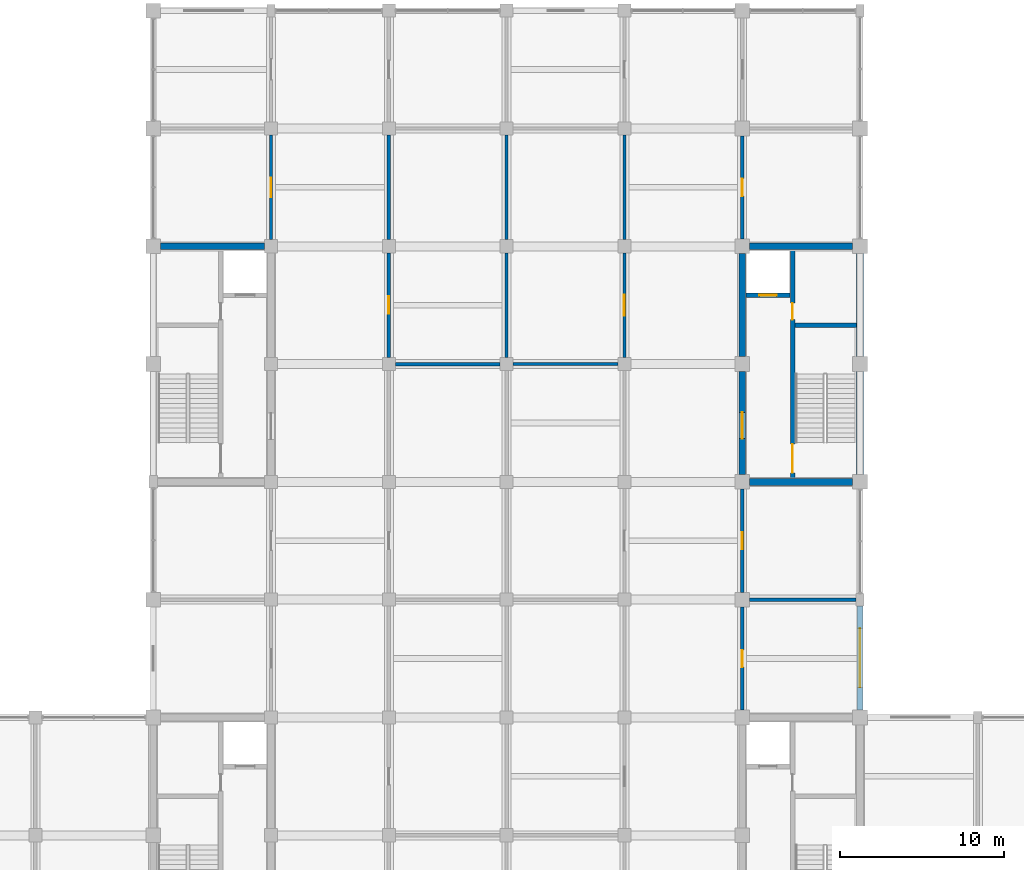
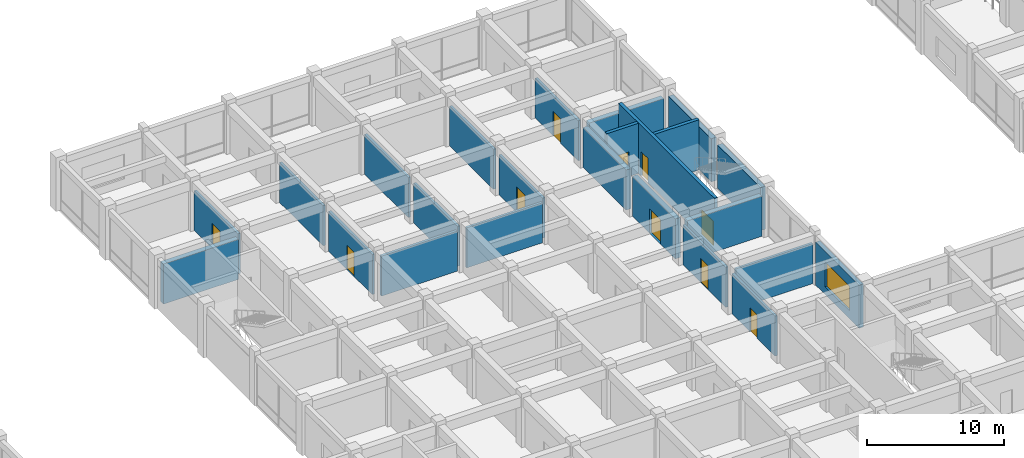
# One storey, part 60 of 75: 24 walls, 10 doors, 1 window, 11 openings.
"""IFC4 building model written with IfcOpenShell, lengths in metres."""

from ifc_helpers import new_model, si_unit, direction, frame, frame_2d, origin, place, context, subcontext, project, spatial, rectangle, extrude, material, layer, layer_set, type_object, element, fill, save


model = new_model("IFC4")

# Units and contexts
model_context = context("Model", 3, precision=1e-05, world=origin(), true_north=direction((0.0, 1.0)))
body_context = subcontext(model_context, "Body", "Model", "MODEL_VIEW")
ifc_project = project(units=[si_unit("LENGTHUNIT", "METRE"), si_unit("AREAUNIT", "SQUARE_METRE"), si_unit("VOLUMEUNIT", "CUBIC_METRE"), si_unit("PLANEANGLEUNIT", "RADIAN"), si_unit("MASSUNIT", "GRAM", prefix="KILO")], contexts=[model_context])

# Site, building, storey
site_placement = place(None, origin())
site = spatial("IfcSite", under=ifc_project, at=site_placement, CompositionType="ELEMENT")
building_placement = place(site_placement, origin())
building = spatial("IfcBuilding", under=site, at=building_placement, Name="Cendaluz Park School", CompositionType="ELEMENT")
storey_placement = place(building_placement, frame((0.0, 0.0, 4.800048828125)))
storey = spatial("IfcBuildingStorey", under=building, at=storey_placement, Name="L01", CompositionType="ELEMENT", Elevation=4.800048828125)

# Wall, opening, door
ifc_material_1 = material(Name="Gypsum Plasterboard on Cold-Formed Stud", Category="gypsum")
ifc_layer_1 = layer(ifc_material_1, 0.199951171875)
ifc_layer_set_1 = layer_set([ifc_layer_1], Name="Gypsum Plasterboard on Cold-Formed Stud")
wall_type_1 = type_object("IfcWallType", Name="W-AC20", PredefinedType="PARTITIONING", material=ifc_layer_set_1)
wall_1_placement = place(storey_placement, frame((72.0, 58.0, 0.0), z_axis=(0.0, 0.0, 1.0), x_axis=(0.0, 1.0, 0.0)))
wall_1 = element("IfcWall", 1, at=wall_1_placement, inside=storey, type_object=wall_type_1, Name="WL-FB-BV4", PredefinedType="PARTITIONING", context=body_context, shape_type="SweptSolid", body=[
    extrude(rectangle(XDim=6.39990234375, YDim=0.199951171875, at=frame_2d((3.199951171875, 0.0))), origin(), (0.0, 0.0, 1.0), 3.579833984375),
])
opening_1_placement = place(wall_1_placement, frame((2.60009765625, 0.0, 0.0)))
opening_1 = element("IfcOpeningElement", 2, at=opening_1_placement, cuts=wall_1, Name="Opening DCL-08", PredefinedType="OPENING", context=body_context, shape_type="SweptSolid", body=[
    extrude(rectangle(XDim=1.199951171875, YDim=2.239990234375, at=frame_2d((0.60009765625, 1.1201171875))), frame((0.0, 0.112060546875, 0.0), z_axis=(0.0, -1.0, 0.0), x_axis=(1.0, 0.0, 0.0)), (0.0, 0.0, 1.0), 0.223876953125),
])
ifc_material_2 = material(Name="Solid Core Hardwood", Category="wood")
door_type_1 = type_object("IfcDoorType", Name="DCL-08", OperationType="NOTDEFINED", PredefinedType="DOOR", material=ifc_material_2)
door_1_placement = place(opening_1_placement, origin())
door_1 = element("IfcDoor", 3, at=door_1_placement, inside=storey, type_object=door_type_1, Name="D-L01-060", OperationType="SINGLE_SWING_RIGHT", OverallHeight=2.239990234375, OverallWidth=1.199951171875, PredefinedType="DOOR", context=body_context, shape_type="SweptSolid", body=[
    extrude(rectangle(XDim=1.199951171875, YDim=2.239990234375, at=frame_2d((0.60009765625, 1.1201171875))), frame((0.0, 0.02490234375, 0.0), z_axis=(0.0, -1.0, 0.0), x_axis=(1.0, 0.0, 0.0)), (0.0, 0.0, 1.0), 0.050048828125),
])
fill(opening_1, door_1)

wall_2_placement = place(storey_placement, frame((79.199951171875, 50.800048828125, 0.0), z_axis=(0.0, 0.0, 1.0), x_axis=(0.0, 1.0, 0.0)))
wall_2 = element("IfcWall", 4, at=wall_2_placement, inside=storey, type_object=wall_type_1, Name="WL-FB-BX3", PredefinedType="PARTITIONING", context=body_context, shape_type="SweptSolid", body=[
    extrude(rectangle(XDim=6.39990234375, YDim=0.199951171875, at=frame_2d((3.199951171875, 0.0))), origin(), (0.0, 0.0, 1.0), 3.579833984375),
])
opening_2_placement = place(wall_2_placement, frame((2.669921875, 0.0, 0.0)))
opening_2 = element("IfcOpeningElement", 5, at=opening_2_placement, cuts=wall_2, Name="Opening DCL-04", PredefinedType="OPENING", context=body_context, shape_type="SweptSolid", body=[
    extrude(rectangle(XDim=1.06005859375, YDim=2.159912109375, at=frame_2d((0.530029296875, 1.080078125))), frame((0.0, 0.112060546875, 0.0), z_axis=(0.0, -1.0, 0.0), x_axis=(1.0, 0.0, 0.0)), (0.0, 0.0, 1.0), 0.223876953125),
])
door_type_2 = type_object("IfcDoorType", Name="DCL-04", OperationType="NOTDEFINED", PredefinedType="DOOR", material=ifc_material_2)
door_2_placement = place(opening_2_placement, frame((1.06005859375, 0.0, 0.0), z_axis=(0.0, 0.0, 1.0), x_axis=(-1.0, 0.0, 0.0)))
door_2 = element("IfcDoor", 6, at=door_2_placement, inside=storey, type_object=door_type_2, Name="D-L01-066", OperationType="SINGLE_SWING_RIGHT", OverallHeight=2.159912109375, OverallWidth=1.06005859375, PredefinedType="DOOR", context=body_context, shape_type="SweptSolid", body=[
    extrude(rectangle(XDim=1.06005859375, YDim=2.159912109375, at=frame_2d((0.530029296875, 1.080078125))), frame((0.0, 0.02490234375, 0.0), z_axis=(0.0, -1.0, 0.0), x_axis=(1.0, 0.0, 0.0)), (0.0, 0.0, 1.0), 0.050048828125),
])
fill(opening_2, door_2)

# Walls
for number, where, z_axis, x_axis, name in (
    (7, (86.39990234375, 50.800048828125, 0.0), (0.0, 0.0, 1.0), (0.0, 1.0, 0.0), "WL-FB-BX4"),
    (8, (79.199951171875, 58.0, 0.0), (0.0, 0.0, 1.0), (0.0, 1.0, 0.0), "WL-FB-BX6"),
    (9, (86.39990234375, 58.0, 0.0), (0.0, 0.0, 1.0), (0.0, 1.0, 0.0), "WL-FB-BX7"),
    (10, (86.800048828125, 50.39990234375, 0.0), (0.0, 0.0, 1.0), (1.0, 0.0, 0.0), "WL-FB-BZ0"),
):
    element("IfcWall", number, at=place(storey_placement, frame(where, z_axis=z_axis, x_axis=x_axis)), inside=storey, type_object=wall_type_1, Name=name, PredefinedType="PARTITIONING", context=body_context, shape_type="SweptSolid", body=[
        extrude(rectangle(XDim=6.39990234375, YDim=0.199951171875, at=frame_2d((3.199951171875, 0.0))), origin(), (0.0, 0.0, 1.0), 3.579833984375),
    ])

# Wall, opening, door
wall_3_placement = place(storey_placement, frame((93.60009765625, 50.800048828125, 0.0), z_axis=(0.0, 0.0, 1.0), x_axis=(0.0, 1.0, 0.0)))
wall_3 = element("IfcWall", 11, at=wall_3_placement, inside=storey, type_object=wall_type_1, Name="WL-FB-BZ2", PredefinedType="PARTITIONING", context=body_context, shape_type="SweptSolid", body=[
    extrude(rectangle(XDim=6.39990234375, YDim=0.199951171875, at=frame_2d((3.199951171875, 0.0))), origin(), (0.0, 0.0, 1.0), 3.579833984375),
])
opening_3_placement = place(wall_3_placement, frame((2.56005859375, 0.0, 0.0)))
opening_3 = element("IfcOpeningElement", 12, at=opening_3_placement, cuts=wall_3, Name="Opening DCL-10", PredefinedType="OPENING", context=body_context, shape_type="SweptSolid", body=[
    extrude(rectangle(XDim=1.280029296875, YDim=2.280029296875, at=frame_2d((0.64013671875, 1.14013671875))), frame((0.0, 0.112060546875, 0.0), z_axis=(0.0, -1.0, 0.0), x_axis=(1.0, 0.0, 0.0)), (0.0, 0.0, 1.0), 0.223876953125),
])
door_type_3 = type_object("IfcDoorType", Name="DCL-10", OperationType="NOTDEFINED", PredefinedType="DOOR", material=ifc_material_2)
door_3_placement = place(opening_3_placement, origin())
door_3 = element("IfcDoor", 13, at=door_3_placement, inside=storey, type_object=door_type_3, Name="D-L01-072", OperationType="SINGLE_SWING_RIGHT", OverallHeight=2.280029296875, OverallWidth=1.280029296875, PredefinedType="DOOR", context=body_context, shape_type="SweptSolid", body=[
    extrude(rectangle(XDim=1.280029296875, YDim=2.280029296875, at=frame_2d((0.64013671875, 1.14013671875))), frame((0.0, 0.02490234375, 0.0), z_axis=(0.0, -1.0, 0.0), x_axis=(1.0, 0.0, 0.0)), (0.0, 0.0, 1.0), 0.050048828125),
])
fill(opening_3, door_3)

# Walls
wall_4_placement = place(storey_placement, frame((93.60009765625, 58.0, 0.0), z_axis=(0.0, 0.0, 1.0), x_axis=(0.0, 1.0, 0.0)))
element("IfcWall", 14, at=wall_4_placement, inside=storey, type_object=wall_type_1, Name="WL-FB-BZ4", PredefinedType="PARTITIONING", context=body_context, shape_type="SweptSolid", body=[
    extrude(rectangle(XDim=6.39990234375, YDim=0.199951171875, at=frame_2d((3.199951171875, 0.0))), origin(), (0.0, 0.0, 1.0), 3.579833984375),
])
wall_5_placement = place(storey_placement, frame((101.25, 36.0, 0.0), z_axis=(0.0, 0.0, 1.0), x_axis=(1.0, 0.0, 0.0)))
element("IfcWall", 15, at=wall_5_placement, inside=storey, type_object=wall_type_1, Name="WL-FB-BZ8", PredefinedType="PARTITIONING", context=body_context, shape_type="SweptSolid", body=[
    extrude(rectangle(XDim=6.5, YDim=0.199951171875, at=frame_2d((3.25, 0.0))), origin(), (0.0, 0.0, 1.0), 3.579833984375),
])

# Wall, opening, door
wall_6_placement = place(storey_placement, frame((100.800048828125, 29.25, 0.0), z_axis=(0.0, 0.0, 1.0), x_axis=(0.0, 1.0, 0.0)))
wall_6 = element("IfcWall", 16, at=wall_6_placement, inside=storey, type_object=wall_type_1, Name="WL-FB-BZ9", PredefinedType="PARTITIONING", context=body_context, shape_type="SweptSolid", body=[
    extrude(rectangle(XDim=6.300048828125, YDim=0.199951171875, at=frame_2d((3.14990234375, 0.0))), origin(), (0.0, 0.0, 1.0), 3.579833984375),
])
opening_4_placement = place(wall_6_placement, frame((2.6298828125, 0.0, 0.0)))
opening_4 = element("IfcOpeningElement", 17, at=opening_4_placement, cuts=wall_6, Name="Opening DCL-03", PredefinedType="OPENING", context=body_context, shape_type="SweptSolid", body=[
    extrude(rectangle(XDim=1.0400390625, YDim=2.139892578125, at=frame_2d((0.52001953125, 1.06982421875))), frame((0.0, 0.112060546875, 0.0), z_axis=(0.0, -1.0, 0.0), x_axis=(1.0, 0.0, 0.0)), (0.0, 0.0, 1.0), 0.223876953125),
])
door_type_4 = type_object("IfcDoorType", Name="DCL-03", OperationType="NOTDEFINED", PredefinedType="DOOR", material=ifc_material_2)
door_4_placement = place(opening_4_placement, frame((1.0400390625, 0.0, 0.0), z_axis=(0.0, 0.0, 1.0), x_axis=(-1.0, 0.0, 0.0)))
door_4 = element("IfcDoor", 18, at=door_4_placement, inside=storey, type_object=door_type_4, Name="D-L01-075", OperationType="SINGLE_SWING_LEFT", OverallHeight=2.139892578125, OverallWidth=1.0400390625, PredefinedType="DOOR", context=body_context, shape_type="SweptSolid", body=[
    extrude(rectangle(XDim=1.0400390625, YDim=2.139892578125, at=frame_2d((0.52001953125, 1.06982421875))), frame((0.0, 0.02490234375, 0.0), z_axis=(0.0, -1.0, 0.0), x_axis=(1.0, 0.0, 0.0)), (0.0, 0.0, 1.0), 0.050048828125),
])
fill(opening_4, door_4)

wall_7_placement = place(storey_placement, frame((100.800048828125, 36.449951171875, 0.0), z_axis=(0.0, 0.0, 1.0), x_axis=(0.0, 1.0, 0.0)))
wall_7 = element("IfcWall", 19, at=wall_7_placement, inside=storey, type_object=wall_type_1, Name="WL-FB-CA0", PredefinedType="PARTITIONING", context=body_context, shape_type="SweptSolid", body=[
    extrude(rectangle(XDim=6.300048828125, YDim=0.199951171875, at=frame_2d((3.14990234375, 0.0))), origin(), (0.0, 0.0, 1.0), 3.579833984375),
])
opening_5_placement = place(wall_7_placement, frame((2.6201171875, 0.0, 0.0)))
opening_5 = element("IfcOpeningElement", 20, at=opening_5_placement, cuts=wall_7, Name="Opening DCL-04", PredefinedType="OPENING", context=body_context, shape_type="SweptSolid", body=[
    extrude(rectangle(XDim=1.06005859375, YDim=2.159912109375, at=frame_2d((0.530029296875, 1.080078125))), frame((0.0, 0.112060546875, 0.0), z_axis=(0.0, -1.0, 0.0), x_axis=(1.0, 0.0, 0.0)), (0.0, 0.0, 1.0), 0.223876953125),
])
door_5_placement = place(opening_5_placement, frame((1.06005859375, 0.0, 0.0), z_axis=(0.0, 0.0, 1.0), x_axis=(-1.0, 0.0, 0.0)))
door_5 = element("IfcDoor", 21, at=door_5_placement, inside=storey, type_object=door_type_2, Name="D-L01-076", OperationType="SINGLE_SWING_RIGHT", OverallHeight=2.159912109375, OverallWidth=1.06005859375, PredefinedType="DOOR", context=body_context, shape_type="SweptSolid", body=[
    extrude(rectangle(XDim=1.06005859375, YDim=2.159912109375, at=frame_2d((0.530029296875, 1.080078125))), frame((0.0, 0.02490234375, 0.0), z_axis=(0.0, -1.0, 0.0), x_axis=(1.0, 0.0, 0.0)), (0.0, 0.0, 1.0), 0.050048828125),
])
fill(opening_5, door_5)

wall_8_placement = place(storey_placement, frame((100.800048828125, 58.050048828125, 0.0), z_axis=(0.0, 0.0, 1.0), x_axis=(0.0, 1.0, 0.0)))
wall_8 = element("IfcWall", 22, at=wall_8_placement, inside=storey, type_object=wall_type_1, Name="WL-FB-CA2", PredefinedType="PARTITIONING", context=body_context, shape_type="SweptSolid", body=[
    extrude(rectangle(XDim=6.300048828125, YDim=0.199951171875, at=frame_2d((3.14990234375, 0.0))), origin(), (0.0, 0.0, 1.0), 3.579833984375),
])
opening_6_placement = place(wall_8_placement, frame((2.610107421875, 0.0, 0.0)))
opening_6 = element("IfcOpeningElement", 23, at=opening_6_placement, cuts=wall_8, Name="Opening DCL-05", PredefinedType="OPENING", context=body_context, shape_type="SweptSolid", body=[
    extrude(rectangle(XDim=1.080078125, YDim=2.179931640625, at=frame_2d((0.5400390625, 1.08984375))), frame((0.0, 0.112060546875, 0.0), z_axis=(0.0, -1.0, 0.0), x_axis=(1.0, 0.0, 0.0)), (0.0, 0.0, 1.0), 0.223876953125),
])
door_type_5 = type_object("IfcDoorType", Name="DCL-05", OperationType="NOTDEFINED", PredefinedType="DOOR", material=ifc_material_2)
door_6_placement = place(opening_6_placement, frame((1.080078125, 0.0, 0.0), z_axis=(0.0, 0.0, 1.0), x_axis=(-1.0, 0.0, 0.0)))
door_6 = element("IfcDoor", 24, at=door_6_placement, inside=storey, type_object=door_type_5, Name="D-L01-077", OperationType="SINGLE_SWING_LEFT", OverallHeight=2.179931640625, OverallWidth=1.080078125, PredefinedType="DOOR", context=body_context, shape_type="SweptSolid", body=[
    extrude(rectangle(XDim=1.080078125, YDim=2.179931640625, at=frame_2d((0.5400390625, 1.08984375))), frame((0.0, 0.02490234375, 0.0), z_axis=(0.0, -1.0, 0.0), x_axis=(1.0, 0.0, 0.0)), (0.0, 0.0, 1.0), 0.050048828125),
])
fill(opening_6, door_6)

# Wall, opening, window
ifc_material_3 = material(Name="Concrete C40/50 precast", Category="concrete")
ifc_layer_2 = layer(ifc_material_3, 0.360107421875)
ifc_layer_set_2 = layer_set([ifc_layer_2], Name="Concrete C40/50 precast")
wall_type_2 = type_object("IfcWallType", Name="W-EX36", PredefinedType="SOLIDWALL", material=ifc_layer_set_2)
wall_9_placement = place(storey_placement, frame((108.0, 29.25, 0.0), z_axis=(0.0, 0.0, 1.0), x_axis=(0.0, 1.0, 0.0)))
wall_9 = element("IfcWall", 25, at=wall_9_placement, inside=storey, type_object=wall_type_2, Name="WL-FB-AC1", PredefinedType="SOLIDWALL", context=body_context, shape_type="SweptSolid", body=[
    extrude(rectangle(XDim=6.375, YDim=0.360107421875, at=frame_2d((3.1875, 0.0))), origin(), (0.0, 0.0, 1.0), 3.849853515625),
])
opening_7_placement = place(wall_9_placement, frame((1.387451171875, 0.0, 0.699951171875)))
opening_7 = element("IfcOpeningElement", 26, at=opening_7_placement, cuts=wall_9, Name="Opening WN-26", PredefinedType="OPENING", context=body_context, shape_type="SweptSolid", body=[
    extrude(rectangle(XDim=3.60009765625, YDim=2.199951171875, at=frame_2d((1.800048828125, 1.10009765625))), frame((0.0, 0.192138671875, 0.0), z_axis=(0.0, -1.0, 0.0), x_axis=(1.0, 0.0, 0.0)), (0.0, 0.0, 1.0), 0.384033203125),
])
ifc_material_4 = material(Name="Tempered Low-E Double Glazing", Category="glass")
window_type = type_object("IfcWindowType", Name="WN-26", PartitioningType="SINGLE_PANEL", PredefinedType="WINDOW", material=ifc_material_4)
window_placement = place(opening_7_placement, origin())
window = element("IfcWindow", 27, at=window_placement, inside=storey, type_object=window_type, Name="WN-L01-022", OverallHeight=2.199951171875, OverallWidth=3.60009765625, PartitioningType="SINGLE_PANEL", PredefinedType="WINDOW", context=body_context, shape_type="SweptSolid", body=[
    extrude(rectangle(XDim=3.60009765625, YDim=2.199951171875, at=frame_2d((1.800048828125, 1.10009765625))), frame((0.0, 0.030029296875, 0.0), z_axis=(0.0, -1.0, 0.0), x_axis=(1.0, 0.0, 0.0)), (0.0, 0.0, 1.0), 0.06005859375),
])
fill(opening_7, window)

# Wall, openings, doors
ifc_material_5 = material(Name="Concrete C40/50", Category="concrete")
ifc_layer_3 = layer(ifc_material_5, 0.280029296875)
ifc_layer_set_3 = layer_set([ifc_layer_3], Name="Concrete C40/50")
wall_type_3 = type_object("IfcWallType", Name="W-FW28", PredefinedType="SHEAR", material=ifc_layer_set_3)
wall_10_placement = place(storey_placement, frame((103.8798828125, 43.39990234375, 0.0), z_axis=(0.0, 0.0, 1.0), x_axis=(0.0, 1.0, 0.0)))
wall_10 = element("IfcWall", 28, at=wall_10_placement, inside=storey, type_object=wall_type_3, Name="WL-FB-BL2", PredefinedType="SHEAR", context=body_context, shape_type="SweptSolid", body=[
    extrude(rectangle(XDim=14.0, YDim=0.280029296875, at=frame_2d((7.0, 0.0))), origin(), (0.0, 0.0, 1.0), 4.47998046875),
])
opening_8_placement = place(wall_10_placement, frame((0.35009765625, 0.0, 0.0)))
opening_8 = element("IfcOpeningElement", 29, at=opening_8_placement, cuts=wall_10, Name="Opening DST-03", PredefinedType="OPENING", context=body_context, shape_type="SweptSolid", body=[
    extrude(rectangle(XDim=1.75, YDim=2.14990234375, at=frame_2d((0.875, 1.074951171875))), frame((0.0, 0.152099609375, 0.0), z_axis=(0.0, -1.0, 0.0), x_axis=(1.0, 0.0, 0.0)), (0.0, 0.0, 1.0), 0.303955078125),
])
opening_9_placement = place(wall_10_placement, frame((9.719970703125, 0.0, 0.0)))
opening_9 = element("IfcOpeningElement", 30, at=opening_9_placement, cuts=wall_10, Name="Opening DFC-01", PredefinedType="OPENING", context=body_context, shape_type="SweptSolid", body=[
    extrude(rectangle(XDim=1.0, YDim=2.14990234375, at=frame_2d((0.5, 1.074951171875))), frame((0.0, 0.152099609375, 0.0), z_axis=(0.0, -1.0, 0.0), x_axis=(1.0, 0.0, 0.0)), (0.0, 0.0, 1.0), 0.303955078125),
])
door_type_6 = type_object("IfcDoorType", Name="DFC-01", OperationType="NOTDEFINED", PredefinedType="DOOR", material=ifc_material_2)
door_7_placement = place(opening_9_placement, frame((1.0, 0.0, 0.0), z_axis=(0.0, 0.0, 1.0), x_axis=(-1.0, 0.0, 0.0)))
door_7 = element("IfcDoor", 31, at=door_7_placement, inside=storey, type_object=door_type_6, Name="D-L01-017", OperationType="SINGLE_SWING_LEFT", OverallHeight=2.14990234375, OverallWidth=1.0, PredefinedType="DOOR", context=body_context, shape_type="SweptSolid", body=[
    extrude(rectangle(XDim=1.0, YDim=2.14990234375, at=frame_2d((0.5, 1.074951171875))), frame((0.0, 0.02490234375, 0.0), z_axis=(0.0, -1.0, 0.0), x_axis=(1.0, 0.0, 0.0)), (0.0, 0.0, 1.0), 0.050048828125),
])
fill(opening_9, door_7)
door_type_7 = type_object("IfcDoorType", Name="DST-03", OperationType="DOUBLE_DOOR_SINGLE_SWING", PredefinedType="DOOR", material=ifc_material_2)
door_8_placement = place(opening_8_placement, frame((1.75, 0.0, 0.0), z_axis=(0.0, 0.0, 1.0), x_axis=(-1.0, 0.0, 0.0)))
door_8 = element("IfcDoor", 32, at=door_8_placement, inside=storey, type_object=door_type_7, Name="D-L01-016", OperationType="DOUBLE_DOOR_SINGLE_SWING", OverallHeight=2.14990234375, OverallWidth=1.75, PredefinedType="DOOR", context=body_context, shape_type="SweptSolid", body=[
    extrude(rectangle(XDim=1.75, YDim=2.14990234375, at=frame_2d((0.875, 1.074951171875))), frame((0.0, 0.02490234375, 0.0), z_axis=(0.0, -1.0, 0.0), x_axis=(1.0, 0.0, 0.0)), (0.0, 0.0, 1.0), 0.050048828125),
])
fill(opening_8, door_8)

# Wall
wall_11_placement = place(storey_placement, frame((104.02001953125, 52.780029296875, 0.0), z_axis=(0.0, 0.0, 1.0), x_axis=(1.0, 0.0, 0.0)))
element("IfcWall", 33, at=wall_11_placement, inside=storey, type_object=wall_type_3, Name="WL-FB-BL3", PredefinedType="SHEAR", context=body_context, shape_type="SweptSolid", body=[
    extrude(rectangle(XDim=3.780029296875, YDim=0.280029296875, at=frame_2d((1.89013671875, 0.0))), origin(), (0.0, 0.0, 1.0), 4.47998046875),
])

# Wall, opening, door
wall_12_placement = place(storey_placement, frame((101.0400390625, 54.60009765625, 0.0), z_axis=(0.0, 0.0, 1.0), x_axis=(1.0, 0.0, 0.0)))
wall_12 = element("IfcWall", 34, at=wall_12_placement, inside=storey, type_object=wall_type_3, Name="WL-FB-BL4", PredefinedType="SHEAR", context=body_context, shape_type="SweptSolid", body=[
    extrude(rectangle(XDim=2.679931640625, YDim=0.280029296875, at=frame_2d((1.33984375, 0.0))), origin(), (0.0, 0.0, 1.0), 4.47998046875),
])
opening_10_placement = place(wall_12_placement, frame((0.81494140625, 0.0, 0.0)))
opening_10 = element("IfcOpeningElement", 35, at=opening_10_placement, cuts=wall_12, Name="Opening LD-02", PredefinedType="OPENING", context=body_context, shape_type="SweptSolid", body=[
    extrude(rectangle(XDim=1.050048828125, YDim=2.199951171875, at=frame_2d((0.52490234375, 1.10009765625))), frame((0.0, 0.152099609375, 0.0), z_axis=(0.0, -1.0, 0.0), x_axis=(1.0, 0.0, 0.0)), (0.0, 0.0, 1.0), 0.303955078125),
])
ifc_material_6 = material(Name="Stainless Steel 316L", Category="steel")
door_type_8 = type_object("IfcDoorType", Name="LD-02", OperationType="DOUBLE_DOOR_SLIDING", PredefinedType="DOOR", material=ifc_material_6)
door_9_placement = place(opening_10_placement, frame((1.050048828125, 0.0, 0.0), z_axis=(0.0, 0.0, 1.0), x_axis=(-1.0, 0.0, 0.0)))
door_9 = element("IfcDoor", 36, at=door_9_placement, inside=storey, type_object=door_type_8, Name="D-L01-018", OperationType="DOUBLE_DOOR_SLIDING", OverallHeight=2.199951171875, OverallWidth=1.050048828125, PredefinedType="DOOR", context=body_context, shape_type="SweptSolid", body=[
    extrude(rectangle(XDim=1.050048828125, YDim=2.199951171875, at=frame_2d((0.52490234375, 1.10009765625))), frame((0.0, 0.02490234375, 0.0), z_axis=(0.0, -1.0, 0.0), x_axis=(1.0, 0.0, 0.0)), (0.0, 0.0, 1.0), 0.050048828125),
])
fill(opening_10, door_9)

# Walls
ifc_layer_4 = layer(ifc_material_1, 0.219970703125)
ifc_layer_set_4 = layer_set([ifc_layer_4], Name="Gypsum Plasterboard on Cold-Formed Stud")
wall_type_4 = type_object("IfcWallType", Name="W-LB22", PredefinedType="PARTITIONING", material=ifc_layer_set_4)
wall_13_placement = place(storey_placement, frame((79.60009765625, 50.39990234375, 0.0), z_axis=(0.0, 0.0, 1.0), x_axis=(1.0, 0.0, 0.0)))
element("IfcWall", 37, at=wall_13_placement, inside=storey, type_object=wall_type_4, Name="WL-FB-BX0", PredefinedType="PARTITIONING", context=body_context, shape_type="SweptSolid", body=[
    extrude(rectangle(XDim=6.39990234375, YDim=0.219970703125, at=frame_2d((3.199951171875, 0.0))), origin(), (0.0, 0.0, 1.0), 3.579833984375),
])
ifc_layer_5 = layer(ifc_material_5, 0.419921875)
ifc_layer_set_5 = layer_set([ifc_layer_5], Name="Concrete C40/50")
wall_type_5 = type_object("IfcWallType", Name="W-SH42", PredefinedType="SHEAR", material=ifc_layer_set_5)
wall_14_placement = place(storey_placement, frame((65.25, 57.60009765625, 0.0), z_axis=(0.0, 0.0, 1.0), x_axis=(1.0, 0.0, 0.0)))
element("IfcWall", 38, at=wall_14_placement, inside=storey, type_object=wall_type_5, Name="WL-FB-BK2", PredefinedType="SHEAR", context=body_context, shape_type="SweptSolid", body=[
    extrude(rectangle(XDim=6.35009765625, YDim=0.419921875, at=frame_2d((3.175048828125, 0.0))), origin(), (0.0, 0.0, 1.0), 3.579833984375),
])

# Wall, opening, door
wall_15_placement = place(storey_placement, frame((100.800048828125, 43.64990234375, 0.0), z_axis=(0.0, 0.0, 1.0), x_axis=(0.0, 1.0, 0.0)))
wall_15 = element("IfcWall", 39, at=wall_15_placement, inside=storey, type_object=wall_type_5, Name="WL-FB-BK6", PredefinedType="SHEAR", context=body_context, shape_type="SweptSolid", body=[
    extrude(rectangle(XDim=6.300048828125, YDim=0.419921875, at=frame_2d((3.14990234375, 0.0))), origin(), (0.0, 0.0, 1.0), 3.579833984375),
])
opening_11_placement = place(wall_15_placement, frame((2.199951171875, 0.0, 0.0)))
opening_11 = element("IfcOpeningElement", 40, at=opening_11_placement, cuts=wall_15, Name="Opening DLB-01", PredefinedType="OPENING", context=body_context, shape_type="SweptSolid", body=[
    extrude(rectangle(XDim=1.60009765625, YDim=2.199951171875, at=frame_2d((0.800048828125, 1.10009765625))), frame((0.0, 0.221923828125, 0.0), z_axis=(0.0, -1.0, 0.0), x_axis=(1.0, 0.0, 0.0)), (0.0, 0.0, 1.0), 0.44384765625),
])
door_type_9 = type_object("IfcDoorType", Name="DLB-01", OperationType="DOUBLE_DOOR_SINGLE_SWING", PredefinedType="DOOR", material=ifc_material_2)
door_10_placement = place(opening_11_placement, frame((1.60009765625, 0.0, 0.0), z_axis=(0.0, 0.0, 1.0), x_axis=(-1.0, 0.0, 0.0)))
door_10 = element("IfcDoor", 41, at=door_10_placement, inside=storey, type_object=door_type_9, Name="D-L01-015", OperationType="DOUBLE_DOOR_SINGLE_SWING", OverallHeight=2.199951171875, OverallWidth=1.60009765625, PredefinedType="DOOR", context=body_context, shape_type="SweptSolid", body=[
    extrude(rectangle(XDim=1.60009765625, YDim=2.199951171875, at=frame_2d((0.800048828125, 1.10009765625))), frame((0.0, 0.02490234375, 0.0), z_axis=(0.0, -1.0, 0.0), x_axis=(1.0, 0.0, 0.0)), (0.0, 0.0, 1.0), 0.050048828125),
])
fill(opening_11, door_10)

# Walls
wall_16_placement = place(storey_placement, frame((100.800048828125, 50.85009765625, 0.0), z_axis=(0.0, 0.0, 1.0), x_axis=(0.0, 1.0, 0.0)))
element("IfcWall", 42, at=wall_16_placement, inside=storey, type_object=wall_type_5, Name="WL-FB-BK7", PredefinedType="SHEAR", context=body_context, shape_type="SweptSolid", body=[
    extrude(rectangle(XDim=6.2998046875, YDim=0.419921875, at=frame_2d((3.14990234375, 0.0))), origin(), (0.0, 0.0, 1.0), 3.579833984375),
])
wall_17_placement = place(storey_placement, frame((108.0, 43.64990234375, 0.0), z_axis=(0.0, 0.0, 1.0), x_axis=(0.0, 1.0, 0.0)))
element("IfcWall", 43, at=wall_17_placement, inside=storey, type_object=wall_type_5, Name="WL-FB-BK8", PredefinedType="SHEAR", context=body_context, shape_type="SweptSolid", body=[
    extrude(rectangle(XDim=6.300048828125, YDim=0.419921875, at=frame_2d((3.14990234375, 0.0))), origin(), (0.0, 0.0, 1.0), 3.849853515625),
])
wall_18_placement = place(storey_placement, frame((108.0, 50.85009765625, 0.0), z_axis=(0.0, 0.0, 1.0), x_axis=(0.0, 1.0, 0.0)))
element("IfcWall", 44, at=wall_18_placement, inside=storey, type_object=wall_type_5, Name="WL-FB-BK9", PredefinedType="SHEAR", context=body_context, shape_type="SweptSolid", body=[
    extrude(rectangle(XDim=6.2998046875, YDim=0.419921875, at=frame_2d((3.14990234375, 0.0))), origin(), (0.0, 0.0, 1.0), 3.849853515625),
])
for number, where, z_axis, x_axis, name in (
    (45, (101.25, 43.199951171875, 0.0), (0.0, 0.0, 1.0), (1.0, 0.0, 0.0), "WL-FB-BL0"),
    (46, (101.25, 57.60009765625, 0.0), (0.0, 0.0, 1.0), (1.0, 0.0, 0.0), "WL-FB-BL1"),
):
    element("IfcWall", number, at=place(storey_placement, frame(where, z_axis=z_axis, x_axis=x_axis)), inside=storey, type_object=wall_type_5, Name=name, PredefinedType="SHEAR", context=body_context, shape_type="SweptSolid", body=[
        extrude(rectangle(XDim=6.300048828125, YDim=0.419921875, at=frame_2d((3.14990234375, 0.0))), origin(), (0.0, 0.0, 1.0), 3.579833984375),
    ])

save(model, "model.ifc")
